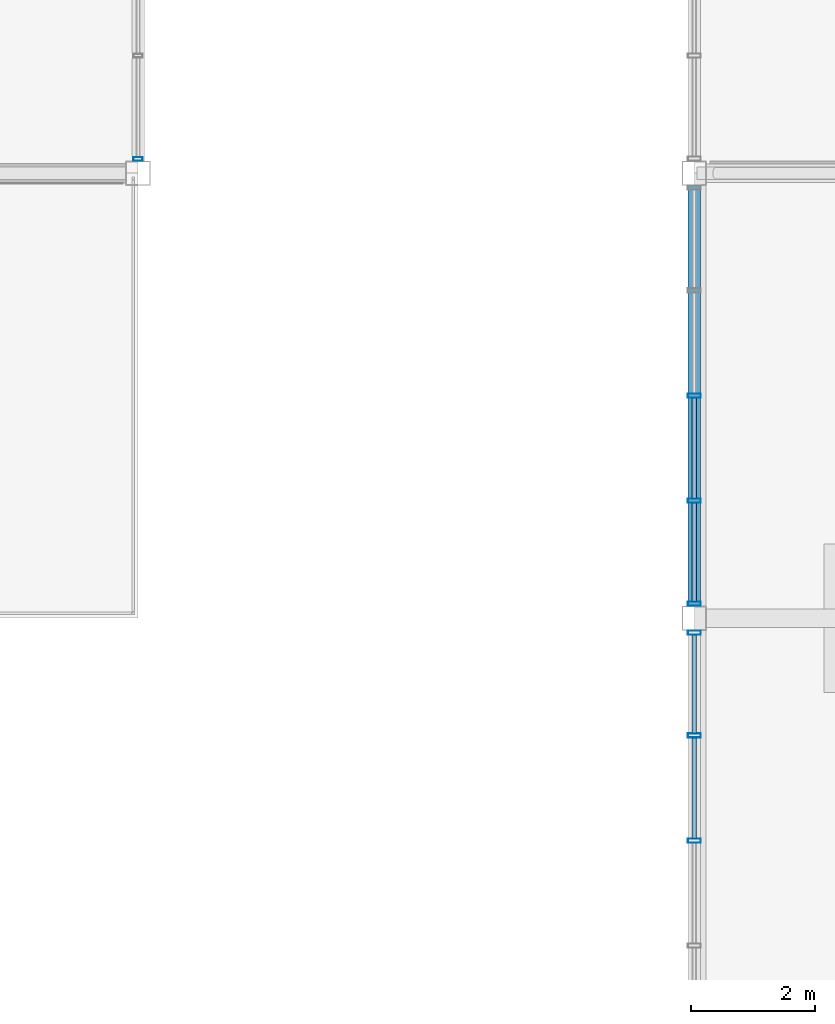
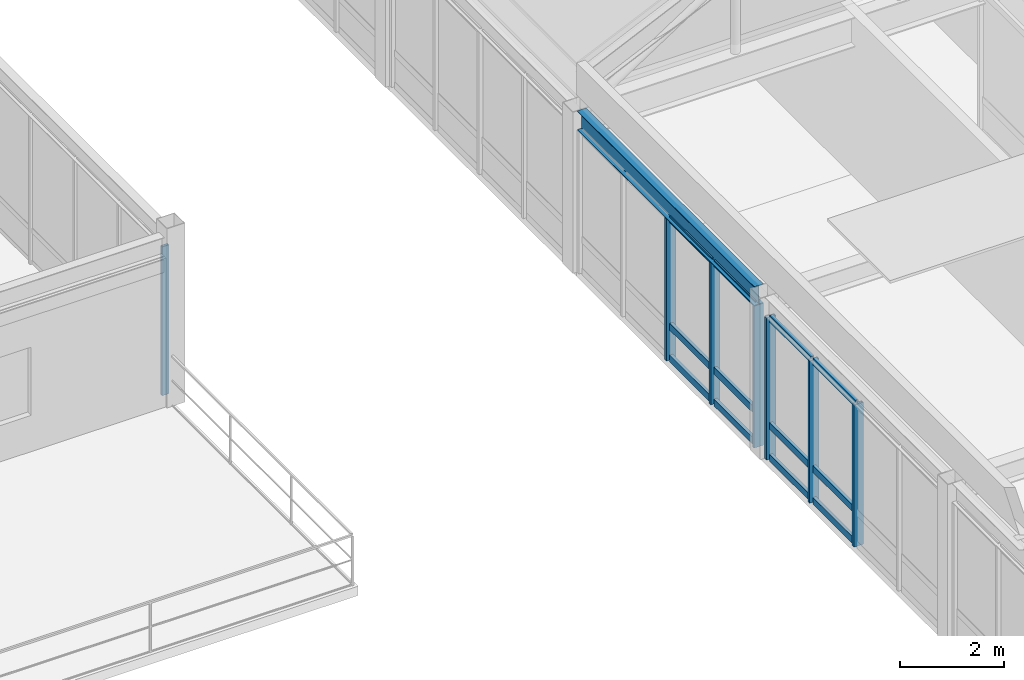
# One storey, part 17 of 106: 19 members, 1 beam, 3 elements without a shape of their own.
"""IFC4 building model written with IfcOpenShell, lengths in metres."""

import ifcopenshell
import ifcopenshell.guid

model = None  # the IFC model being written
_history = None  # IfcOwnerHistory: only IFC2X3 demands one
_inside = {}  # id of a spatial element -> (the spatial element, [elements in it])
_under = {}  # id of a project, library or spatial element -> (it, [spatial elements below it])
_declared = {}  # id of a project -> (the project, [libraries it declares])
_typed = {}  # id of a type object -> (the type object, [elements of that type])
_made_of = {}  # id of a material, layer set ... -> (it, [elements and type objects made of it])


def new_model(schema):
    """Start an empty IFC model of exactly this schema.

    Asked for "IFC4X3", IfcOpenShell would pick the latest addendum, in which some entities
    have other attributes; the version numbers below select the first issue.
    IFC2X3 requires an IfcOwnerHistory on every rooted entity: one is made here for all.
    """
    global model, _history
    if schema == "IFC4X3":
        model = ifcopenshell.file(schema_version=(4, 3, 0, 0))
    else:
        model = ifcopenshell.file(schema=schema)
    _inside.clear()
    _under.clear()
    _declared.clear()
    _typed.clear()
    _made_of.clear()
    _history = None
    if model.schema == "IFC2X3":
        org = make("IfcOrganization", Name="unknown")
        user = make(
            "IfcPersonAndOrganization",
            ThePerson=make("IfcPerson", FamilyName="unknown"),
            TheOrganization=org,
        )
        app = make(
            "IfcApplication",
            ApplicationDeveloper=org,
            Version="unknown",
            ApplicationFullName="unknown",
            ApplicationIdentifier="unknown",
        )
        _history = make(
            "IfcOwnerHistory",
            OwningUser=user,
            OwningApplication=app,
            ChangeAction="ADDED",
            CreationDate=0,
        )
    return model


def make(cls, **values):
    """One entity of the class cls with the attributes given. An attribute that is None is left unset."""
    return model.create_entity(
        cls, **{name: value for name, value in values.items() if value is not None}
    )


def rooted(cls, **values):
    """An entity with a GlobalId (a new one), such as an element, a storey or a relation."""
    return make(cls, GlobalId=ifcopenshell.guid.new(), OwnerHistory=_history, **values)


def si_unit(unit_type, name, prefix=None):
    """IfcSIUnit, for example si_unit("LENGTHUNIT", "METRE", prefix="MILLI")."""
    return make("IfcSIUnit", UnitType=unit_type, Prefix=prefix, Name=name)


def assignment(units):
    """IfcUnitAssignment: the units of a project."""
    return None if units is None else make("IfcUnitAssignment", Units=units)


def point(xyz):
    """IfcCartesianPoint."""
    return None if xyz is None else make("IfcCartesianPoint", Coordinates=xyz)


def direction(xyz):
    """IfcDirection."""
    return None if xyz is None else make("IfcDirection", DirectionRatios=xyz)


def frame(location, z_axis=None, x_axis=None):
    """IfcAxis2Placement3D, a coordinate frame: its origin and axes. An axis left out is left unset."""
    return make(
        "IfcAxis2Placement3D",
        Location=point(location),
        Axis=direction(z_axis),
        RefDirection=direction(x_axis),
    )


def frame_2d(location, x_axis=None):
    """IfcAxis2Placement2D, a coordinate frame in the plane: its origin and x axis."""
    return make(
        "IfcAxis2Placement2D", Location=point(location), RefDirection=direction(x_axis)
    )


def origin():
    """The frame at (0, 0, 0) with its axes left unset."""
    return frame((0.0, 0.0, 0.0))


def origin_2d():
    """The frame at (0, 0) in the plane with its x axis left unset."""
    return frame_2d((0.0, 0.0))


def place(relative_to, where):
    """IfcLocalPlacement: puts the frame where relative to a parent placement (None: the world)."""
    return make(
        "IfcLocalPlacement", PlacementRelTo=relative_to, RelativePlacement=where
    )


def context(
    kind, dimensions, precision=None, world=None, true_north=None, identifier=None
):
    """IfcGeometricRepresentationContext, for example the 3D "Model" context."""
    return make(
        "IfcGeometricRepresentationContext",
        ContextIdentifier=identifier,
        ContextType=kind,
        CoordinateSpaceDimension=dimensions,
        Precision=precision,
        WorldCoordinateSystem=world,
        TrueNorth=true_north,
    )


def subcontext(parent, identifier, kind, view, scale=None):
    """IfcGeometricRepresentationSubContext, for example "Body" below "Model"."""
    return make(
        "IfcGeometricRepresentationSubContext",
        ContextIdentifier=identifier,
        ContextType=kind,
        ParentContext=parent,
        TargetScale=scale,
        TargetView=view,
    )


def project(units=None, contexts=None):
    """IfcProject with its units and contexts."""
    return rooted(
        "IfcProject",
        Name="project",
        RepresentationContexts=contexts,
        UnitsInContext=assignment(units),
    )


def spatial(cls, under=None, at=None, **own):
    """A site, building, storey or space (cls), placed at a placement, below another one or the project."""
    s = rooted(cls, ObjectPlacement=at, **own)
    if under is not None:
        _under.setdefault(under.id(), (under, []))[1].append(s)
    return s


def profile(cls, at=None, kind="AREA", **sizes):
    """A parametric profile (cls). Its sizes go by their IFC names, for example OverallWidth=200.0."""
    return make(cls, ProfileType=kind, Position=at, **sizes)


def hollow_rectangle(**sizes):
    """IfcRectangleHollowProfileDef."""
    return profile("IfcRectangleHollowProfileDef", **sizes)


def i_section(**sizes):
    """IfcIShapeProfileDef."""
    return profile("IfcIShapeProfileDef", **sizes)


def extrude(swept, where, along, depth):
    """IfcExtrudedAreaSolid: the profile swept, set in the frame where, extruded along a direction by depth."""
    return make(
        "IfcExtrudedAreaSolid",
        SweptArea=swept,
        Position=where,
        ExtrudedDirection=direction(along),
        Depth=depth,
    )


def shape(context_of_items, identifier, shape_type, items):
    """IfcShapeRepresentation: the items that make up one representation, for example the "Body"."""
    return make(
        "IfcShapeRepresentation",
        ContextOfItems=context_of_items,
        RepresentationIdentifier=identifier,
        RepresentationType=shape_type,
        Items=items,
    )


def material(Name=None, Category=None):
    """IfcMaterial."""
    return make("IfcMaterial", Name=Name, Category=Category)


def material_profile(
    of_material, cross_section, Name=None, Category=None, Priority=None
):
    """IfcMaterialProfile: a cross section and its material."""
    return make(
        "IfcMaterialProfile",
        Name=Name,
        Material=of_material,
        Profile=cross_section,
        Priority=Priority,
        Category=Category,
    )


def profile_set(profiles, Name=None, composite=None):
    """IfcMaterialProfileSet."""
    return make(
        "IfcMaterialProfileSet",
        Name=Name,
        MaterialProfiles=profiles,
        CompositeProfile=composite,
    )


def made_of(thing, what):
    """Note that an element or type object is made of a material, layer set ...; save() writes the relation."""
    if what is not None:
        _made_of.setdefault(what.id(), (what, []))[1].append(thing)
    return thing


def type_object(cls, material=None, **own):
    """A type object (cls), such as IfcWallType, which elements share."""
    return made_of(rooted(cls, **own), material)


def element(
    cls,
    number,
    at=None,
    inside=None,
    cuts=None,
    type_object=None,
    material=None,
    context=None,
    identifier="Body",
    shape_type=None,
    held_by="IfcProductDefinitionShape",
    body=None,
    shapes=None,
    **own,
):
    """One element of the class cls, such as IfcWall. Its Tag is "e" and its number.

    at: its placement. inside: the storey or other place that contains it. cuts: it is an
    opening in that element (IfcRelVoidsElement). A single representation is given by context,
    identifier, shape_type and body (its items); several are given by shapes. held_by: the class
    of the entity that holds the representations. save() writes the other relations.
    """
    e = rooted(cls, Tag="e%d" % number, ObjectPlacement=at, **own)
    if body is not None:
        shapes = [shape(context, identifier, shape_type, body)]
    if shapes is not None:
        e.Representation = make(held_by, Representations=shapes)
    if inside is not None:
        _inside.setdefault(inside.id(), (inside, []))[1].append(e)
    if cuts is not None:
        rooted(
            "IfcRelVoidsElement", RelatingBuildingElement=cuts, RelatedOpeningElement=e
        )
    if type_object is not None:
        _typed.setdefault(type_object.id(), (type_object, []))[1].append(e)
    return made_of(e, material)


def aggregate(whole, parts):
    """IfcRelAggregates: a whole, such as a stair, and the parts it consists of."""
    return rooted("IfcRelAggregates", RelatingObject=whole, RelatedObjects=parts)


def save(model, path):
    """Write the relations noted so far, then the file.

    IfcRelAggregates (storeys below a building ...), IfcRelContainedInSpatialStructure (elements
    in a storey), IfcRelDefinesByType, IfcRelAssociatesMaterial and IfcRelDeclares: one each for
    every whole, place, type object, material and project.
    """
    for whole, parts in _under.values():
        aggregate(whole, parts)
    for where, things in _inside.values():
        rooted(
            "IfcRelContainedInSpatialStructure",
            RelatedElements=things,
            RelatingStructure=where,
        )
    for kind, things in _typed.values():
        rooted("IfcRelDefinesByType", RelatedObjects=things, RelatingType=kind)
    for what, things in _made_of.values():
        rooted("IfcRelAssociatesMaterial", RelatedObjects=things, RelatingMaterial=what)
    for by, libraries in _declared.values():
        rooted("IfcRelDeclares", RelatingContext=by, RelatedDefinitions=libraries)
    model.write(path)


model = new_model("IFC4")

# Units and contexts
model_context = context("Model", 3, precision=1e-05, world=origin(), true_north=direction((0.0, 1.0)))
body_context = subcontext(model_context, "Body", "Model", "MODEL_VIEW")
ifc_project = project(units=[si_unit("LENGTHUNIT", "METRE"), si_unit("AREAUNIT", "SQUARE_METRE"), si_unit("VOLUMEUNIT", "CUBIC_METRE"), si_unit("PLANEANGLEUNIT", "RADIAN"), si_unit("MASSUNIT", "GRAM", prefix="KILO")], contexts=[model_context])

# Site, building, storey
site_placement = place(None, origin())
site = spatial("IfcSite", under=ifc_project, at=site_placement, CompositionType="ELEMENT")
building_placement = place(site_placement, origin())
building = spatial("IfcBuilding", under=site, at=building_placement, Name="Kazanami Central Library", CompositionType="ELEMENT")
storey_placement = place(building_placement, frame((0.0, 0.0, 12.800048828125)))
storey = spatial("IfcBuildingStorey", under=building, at=storey_placement, Name="L04", CompositionType="ELEMENT", Elevation=12.800048828125)

# Beam
ifc_material_1 = material(Name="Steel SN490B (325 MPa)", Category="steel")
ifc_material_profile_1 = material_profile(ifc_material_1, i_section(OverallWidth=0.199951171875, OverallDepth=0.449951171875, WebThickness=0.009033203125, FlangeThickness=0.013916015625, at=origin_2d()), Name="H-450x200x9x14")
ifc_profile_set_1 = profile_set([ifc_material_profile_1], Name="Steel SN490B (325 MPa)")
beam_type = type_object("IfcBeamType", Name="BM-SP-2", PredefinedType="SPANDREL", material=ifc_profile_set_1)
beam_placement = place(storey_placement, frame((45.0, 57.798095703125, 3.554931640625), z_axis=(0.0, 1.0, 0.0), x_axis=(-1.0, 0.0, 0.0)))
element("IfcBeam", 1, at=beam_placement, inside=storey, type_object=beam_type, Name="Girder SP-2 L04 6/J-K", PredefinedType="SPANDREL", context=body_context, shape_type="SweptSolid", body=[
    extrude(i_section(OverallWidth=0.199951171875, OverallDepth=0.449951171875, WebThickness=0.009033203125, FlangeThickness=0.013916015625, at=origin_2d()), origin(), (0.0, 0.0, 1.0), 6.803955078125),
])

# Curtain wall, members
ifc_material_2 = material(Name="Acid-Etched Low-E Laminated Glass", Category="glass")
curtain_wall_type_1 = type_object("IfcCurtainWallType", Name="CW-6800x3330-M180", PredefinedType="USERDEFINED", material=ifc_material_2)
curtain_wall_1_placement = place(storey_placement, origin())
curtain_wall_1 = element("IfcCurtainWall", 2, at=curtain_wall_1_placement, inside=storey, type_object=curtain_wall_type_1, Name="Covered Link Bridge Curtain Wall CW-44 L04 W-6-07", ObjectType="UNITISED CURTAIN WALL", PredefinedType="USERDEFINED")
ifc_material_3 = material(Name="Anodised Aluminium A6063-T5", Category="aluminium")
ifc_material_profile_2 = material_profile(ifc_material_3, hollow_rectangle(XDim=0.070068359375, YDim=0.2099609375, WallThickness=0.0048828125, at=origin_2d()), Name="ALU-MULL-70x210x5")
ifc_profile_set_2 = profile_set([ifc_material_profile_2], Name="Anodised Aluminium A6063-T5")
member_type_1 = type_object("IfcMemberType", Name="MEM-CW-M1", PredefinedType="MULLION", material=ifc_profile_set_2)
member_1_placement = place(storey_placement, frame((45.0, 54.0, 0.0), z_axis=(0.0, 0.0, 1.0), x_axis=(0.0, 1.0, 0.0)))
member_1 = element("IfcMember", 3, at=member_1_placement, type_object=member_type_1, Name="CW-44 mullion 3", PredefinedType="MULLION", context=body_context, shape_type="SweptSolid", body=[
    extrude(hollow_rectangle(XDim=0.070068359375, YDim=0.2099609375, WallThickness=0.0048828125, at=origin_2d()), origin(), (0.0, 0.0, 1.0), 3.329833984375),
])
member_2_placement = place(storey_placement, frame((45.0, 55.699951171875, 0.0), z_axis=(0.0, 0.0, 1.0), x_axis=(0.0, 1.0, 0.0)))
member_2 = element("IfcMember", 4, at=member_2_placement, type_object=member_type_1, Name="CW-44 mullion 4", PredefinedType="MULLION", context=body_context, shape_type="SweptSolid", body=[
    extrude(hollow_rectangle(XDim=0.070068359375, YDim=0.2099609375, WallThickness=0.0048828125, at=origin_2d()), origin(), (0.0, 0.0, 1.0), 3.329833984375),
])
member_3_placement = place(storey_placement, frame((45.0, 57.364990234375, 0.0), z_axis=(0.0, 0.0, 1.0), x_axis=(0.0, 1.0, 0.0)))
member_3 = element("IfcMember", 5, at=member_3_placement, type_object=member_type_1, Name="CW-44 mullion 5", PredefinedType="MULLION", context=body_context, shape_type="SweptSolid", body=[
    extrude(hollow_rectangle(XDim=0.070068359375, YDim=0.2099609375, WallThickness=0.0048828125, at=origin_2d()), origin(), (0.0, 0.0, 1.0), 3.329833984375),
])

curtain_wall_2_placement = place(storey_placement, origin())
curtain_wall_2 = element("IfcCurtainWall", 6, at=curtain_wall_2_placement, inside=storey, type_object=curtain_wall_type_1, Name="Covered Link Bridge Curtain Wall CW-44 L04 W-6-08", ObjectType="UNITISED CURTAIN WALL", PredefinedType="USERDEFINED")
member_4_placement = place(storey_placement, frame((45.0, 57.8349609375, 0.0), z_axis=(0.0, 0.0, 1.0), x_axis=(0.0, 1.0, 0.0)))
member_4 = element("IfcMember", 7, at=member_4_placement, type_object=member_type_1, Name="CW-44 mullion 1", PredefinedType="MULLION", context=body_context, shape_type="SweptSolid", body=[
    extrude(hollow_rectangle(XDim=0.070068359375, YDim=0.2099609375, WallThickness=0.0048828125, at=origin_2d()), origin(), (0.0, 0.0, 1.0), 3.329833984375),
])
member_5_placement = place(storey_placement, frame((45.0, 59.5, 0.0), z_axis=(0.0, 0.0, 1.0), x_axis=(0.0, 1.0, 0.0)))
member_5 = element("IfcMember", 8, at=member_5_placement, type_object=member_type_1, Name="CW-44 mullion 2", PredefinedType="MULLION", context=body_context, shape_type="SweptSolid", body=[
    extrude(hollow_rectangle(XDim=0.070068359375, YDim=0.2099609375, WallThickness=0.0048828125, at=origin_2d()), origin(), (0.0, 0.0, 1.0), 3.329833984375),
])
member_6_placement = place(storey_placement, frame((45.0, 61.199951171875, 0.0), z_axis=(0.0, 0.0, 1.0), x_axis=(0.0, 1.0, 0.0)))
member_6 = element("IfcMember", 9, at=member_6_placement, type_object=member_type_1, Name="CW-44 mullion 3", PredefinedType="MULLION", context=body_context, shape_type="SweptSolid", body=[
    extrude(hollow_rectangle(XDim=0.070068359375, YDim=0.2099609375, WallThickness=0.0048828125, at=origin_2d()), origin(), (0.0, 0.0, 1.0), 3.329833984375),
])

# Curtain wall, member
curtain_wall_type_2 = type_object("IfcCurtainWallType", Name="CW-6800x3490-M180", PredefinedType="USERDEFINED", material=ifc_material_2)
curtain_wall_3_placement = place(storey_placement, origin())
curtain_wall_3 = element("IfcCurtainWall", 10, at=curtain_wall_3_placement, inside=storey, type_object=curtain_wall_type_2, Name="Covered Link Bridge Curtain Wall CW-43 L04 E-5-09", ObjectType="UNITISED CURTAIN WALL", PredefinedType="USERDEFINED")
ifc_material_profile_3 = material_profile(ifc_material_3, hollow_rectangle(XDim=0.06005859375, YDim=0.14990234375, WallThickness=0.00390625, at=origin_2d()), Name="ALU-MULL-60x150x4")
ifc_profile_set_3 = profile_set([ifc_material_profile_3], Name="Anodised Aluminium A6063-T5")
member_type_2 = type_object("IfcMemberType", Name="MEM-CW-M3", PredefinedType="MULLION", material=ifc_profile_set_3)
member_7_placement = place(storey_placement, frame((36.0, 65.030029296875, 0.0), z_axis=(0.0, 0.0, 1.0), x_axis=(0.0, -1.0, 0.0)))
member_7 = element("IfcMember", 11, at=member_7_placement, type_object=member_type_2, Name="CW-43 mullion 5", PredefinedType="MULLION", context=body_context, shape_type="SweptSolid", body=[
    extrude(hollow_rectangle(XDim=0.06005859375, YDim=0.14990234375, WallThickness=0.00390625, at=origin_2d()), origin(), (0.0, 0.0, 1.0), 3.489990234375),
])
aggregate(curtain_wall_3, [member_7])

# Member
ifc_material_profile_4 = material_profile(ifc_material_3, hollow_rectangle(XDim=0.070068359375, YDim=0.159912109375, WallThickness=0.00390625, at=origin_2d()), Name="ALU-TRAN-70x160x4")
ifc_profile_set_4 = profile_set([ifc_material_profile_4], Name="Anodised Aluminium A6063-T5")
member_type_3 = type_object("IfcMemberType", Name="MEM-CW-T1", PredefinedType="USERDEFINED", material=ifc_profile_set_4)
member_8_placement = place(storey_placement, frame((45.0, 54.034912109375, 0.034912109375), z_axis=(0.0, 1.0, 0.0), x_axis=(-1.0, 0.0, 0.0)))
member_8 = element("IfcMember", 12, at=member_8_placement, type_object=member_type_3, Name="CW-44 transom 3.1", ObjectType="TRANSOM", PredefinedType="USERDEFINED", context=body_context, shape_type="SweptSolid", body=[
    extrude(hollow_rectangle(XDim=0.070068359375, YDim=0.159912109375, WallThickness=0.00390625, at=origin_2d()), origin(), (0.0, 0.0, 1.0), 1.630126953125),
])

member_9_placement = place(storey_placement, frame((45.0, 54.034912109375, 0.780029296875), z_axis=(0.0, 1.0, 0.0), x_axis=(-1.0, 0.0, 0.0)))
member_9 = element("IfcMember", 13, at=member_9_placement, type_object=member_type_3, Name="CW-44 transom 3.2", ObjectType="TRANSOM", PredefinedType="USERDEFINED", context=body_context, shape_type="SweptSolid", body=[
    extrude(hollow_rectangle(XDim=0.070068359375, YDim=0.159912109375, WallThickness=0.00390625, at=origin_2d()), origin(), (0.0, 0.0, 1.0), 1.630126953125),
])

member_10_placement = place(storey_placement, frame((45.0, 54.034912109375, 3.294921875), z_axis=(0.0, 1.0, 0.0), x_axis=(-1.0, 0.0, 0.0)))
member_10 = element("IfcMember", 14, at=member_10_placement, type_object=member_type_3, Name="CW-44 transom 3.3", ObjectType="TRANSOM", PredefinedType="USERDEFINED", context=body_context, shape_type="SweptSolid", body=[
    extrude(hollow_rectangle(XDim=0.070068359375, YDim=0.159912109375, WallThickness=0.00390625, at=origin_2d()), origin(), (0.0, 0.0, 1.0), 1.630126953125),
])

member_11_placement = place(storey_placement, frame((45.0, 55.735107421875, 0.034912109375), z_axis=(0.0, 1.0, 0.0), x_axis=(-1.0, 0.0, 0.0)))
member_11 = element("IfcMember", 15, at=member_11_placement, type_object=member_type_3, Name="CW-44 transom 4.1", ObjectType="TRANSOM", PredefinedType="USERDEFINED", context=body_context, shape_type="SweptSolid", body=[
    extrude(hollow_rectangle(XDim=0.070068359375, YDim=0.159912109375, WallThickness=0.00390625, at=origin_2d()), origin(), (0.0, 0.0, 1.0), 1.594970703125),
])

member_12_placement = place(storey_placement, frame((45.0, 55.735107421875, 0.780029296875), z_axis=(0.0, 1.0, 0.0), x_axis=(-1.0, 0.0, 0.0)))
member_12 = element("IfcMember", 16, at=member_12_placement, type_object=member_type_3, Name="CW-44 transom 4.2", ObjectType="TRANSOM", PredefinedType="USERDEFINED", context=body_context, shape_type="SweptSolid", body=[
    extrude(hollow_rectangle(XDim=0.070068359375, YDim=0.159912109375, WallThickness=0.00390625, at=origin_2d()), origin(), (0.0, 0.0, 1.0), 1.594970703125),
])

member_13_placement = place(storey_placement, frame((45.0, 55.735107421875, 3.294921875), z_axis=(0.0, 1.0, 0.0), x_axis=(-1.0, 0.0, 0.0)))
member_13 = element("IfcMember", 17, at=member_13_placement, type_object=member_type_3, Name="CW-44 transom 4.3", ObjectType="TRANSOM", PredefinedType="USERDEFINED", context=body_context, shape_type="SweptSolid", body=[
    extrude(hollow_rectangle(XDim=0.070068359375, YDim=0.159912109375, WallThickness=0.00390625, at=origin_2d()), origin(), (0.0, 0.0, 1.0), 1.594970703125),
])

aggregate(curtain_wall_1, [member_1, member_2, member_3, member_8, member_9, member_10, member_11, member_12, member_13])

member_14_placement = place(storey_placement, frame((45.0, 57.8701171875, 0.034912109375), z_axis=(0.0, 1.0, 0.0), x_axis=(-1.0, 0.0, 0.0)))
member_14 = element("IfcMember", 18, at=member_14_placement, type_object=member_type_3, Name="CW-44 transom 1.1", ObjectType="TRANSOM", PredefinedType="USERDEFINED", context=body_context, shape_type="SweptSolid", body=[
    extrude(hollow_rectangle(XDim=0.070068359375, YDim=0.159912109375, WallThickness=0.00390625, at=origin_2d()), origin(), (0.0, 0.0, 1.0), 1.594970703125),
])

member_15_placement = place(storey_placement, frame((45.0, 57.8701171875, 0.780029296875), z_axis=(0.0, 1.0, 0.0), x_axis=(-1.0, 0.0, 0.0)))
member_15 = element("IfcMember", 19, at=member_15_placement, type_object=member_type_3, Name="CW-44 transom 1.2", ObjectType="TRANSOM", PredefinedType="USERDEFINED", context=body_context, shape_type="SweptSolid", body=[
    extrude(hollow_rectangle(XDim=0.070068359375, YDim=0.159912109375, WallThickness=0.00390625, at=origin_2d()), origin(), (0.0, 0.0, 1.0), 1.594970703125),
])

member_16_placement = place(storey_placement, frame((45.0, 57.8701171875, 3.294921875), z_axis=(0.0, 1.0, 0.0), x_axis=(-1.0, 0.0, 0.0)))
member_16 = element("IfcMember", 20, at=member_16_placement, type_object=member_type_3, Name="CW-44 transom 1.3", ObjectType="TRANSOM", PredefinedType="USERDEFINED", context=body_context, shape_type="SweptSolid", body=[
    extrude(hollow_rectangle(XDim=0.070068359375, YDim=0.159912109375, WallThickness=0.00390625, at=origin_2d()), origin(), (0.0, 0.0, 1.0), 1.594970703125),
])

member_17_placement = place(storey_placement, frame((45.0, 59.534912109375, 0.034912109375), z_axis=(0.0, 1.0, 0.0), x_axis=(-1.0, 0.0, 0.0)))
member_17 = element("IfcMember", 21, at=member_17_placement, type_object=member_type_3, Name="CW-44 transom 2.1", ObjectType="TRANSOM", PredefinedType="USERDEFINED", context=body_context, shape_type="SweptSolid", body=[
    extrude(hollow_rectangle(XDim=0.070068359375, YDim=0.159912109375, WallThickness=0.00390625, at=origin_2d()), origin(), (0.0, 0.0, 1.0), 1.630126953125),
])

member_18_placement = place(storey_placement, frame((45.0, 59.534912109375, 0.780029296875), z_axis=(0.0, 1.0, 0.0), x_axis=(-1.0, 0.0, 0.0)))
member_18 = element("IfcMember", 22, at=member_18_placement, type_object=member_type_3, Name="CW-44 transom 2.2", ObjectType="TRANSOM", PredefinedType="USERDEFINED", context=body_context, shape_type="SweptSolid", body=[
    extrude(hollow_rectangle(XDim=0.070068359375, YDim=0.159912109375, WallThickness=0.00390625, at=origin_2d()), origin(), (0.0, 0.0, 1.0), 1.630126953125),
])

member_19_placement = place(storey_placement, frame((45.0, 59.534912109375, 3.294921875), z_axis=(0.0, 1.0, 0.0), x_axis=(-1.0, 0.0, 0.0)))
member_19 = element("IfcMember", 23, at=member_19_placement, type_object=member_type_3, Name="CW-44 transom 2.3", ObjectType="TRANSOM", PredefinedType="USERDEFINED", context=body_context, shape_type="SweptSolid", body=[
    extrude(hollow_rectangle(XDim=0.070068359375, YDim=0.159912109375, WallThickness=0.00390625, at=origin_2d()), origin(), (0.0, 0.0, 1.0), 1.630126953125),
])

aggregate(curtain_wall_2, [member_4, member_5, member_6, member_14, member_15, member_16, member_17, member_18, member_19])

save(model, "model.ifc")
